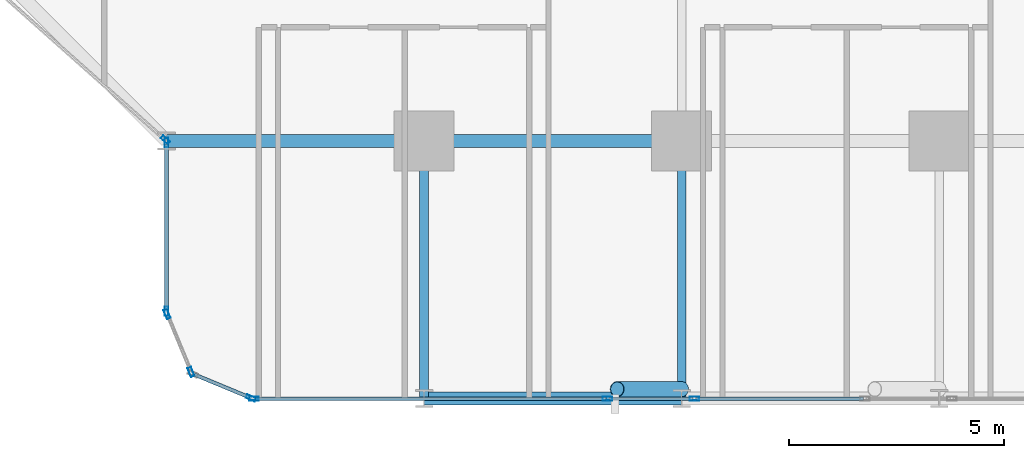
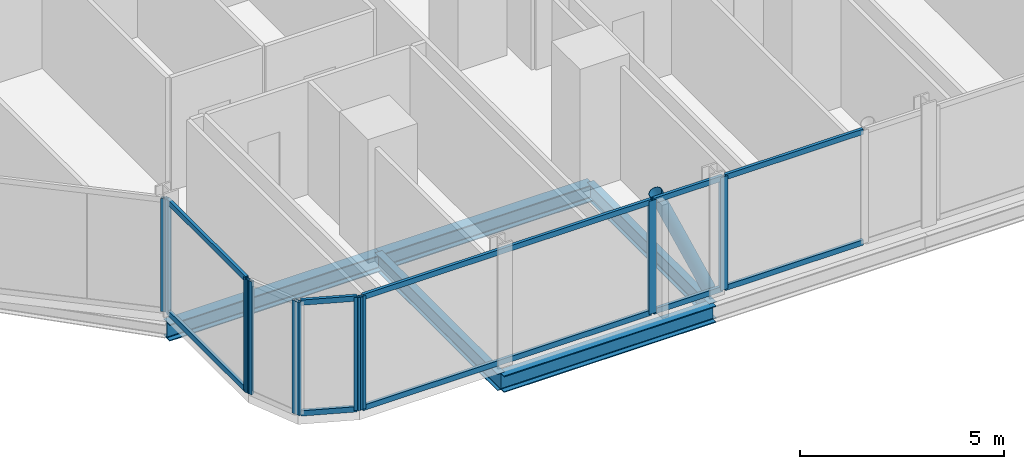
# One storey, part 3 of 35: 20 members, 5 beams, 7 elements without a shape of their own.
"""IFC4 building model written with IfcOpenShell, lengths in metres."""

from ifc_helpers import new_model, si_unit, direction, frame, origin, origin_2d, place, context, subcontext, project, spatial, hollow_rectangle, hollow_circle, i_section, extrude, material, layer, layer_set, material_profile, profile_set, type_object, element, aggregate, save


model = new_model("IFC4")

# Units and contexts
model_context = context("Model", 3, precision=1e-05, world=origin(), true_north=direction((0.0, 1.0)))
body_context = subcontext(model_context, "Body", "Model", "MODEL_VIEW")
ifc_project = project(units=[si_unit("LENGTHUNIT", "METRE"), si_unit("AREAUNIT", "SQUARE_METRE"), si_unit("VOLUMEUNIT", "CUBIC_METRE"), si_unit("PLANEANGLEUNIT", "RADIAN"), si_unit("MASSUNIT", "GRAM", prefix="KILO")], contexts=[model_context])

# Site, building, storey
site_placement = place(None, origin())
site = spatial("IfcSite", under=ifc_project, at=site_placement, CompositionType="ELEMENT")
building_placement = place(site_placement, origin())
building = spatial("IfcBuilding", under=site, at=building_placement, Name="Keshet Zoharim Tower", CompositionType="ELEMENT")
storey_placement = place(building_placement, frame((0.0, 0.0, 24.0)))
storey = spatial("IfcBuildingStorey", under=building, at=storey_placement, Name="L04", CompositionType="ELEMENT", Elevation=24.0)

# Beams
ifc_material_1 = material(Name="Steel S355", Category="steel")
ifc_material_profile_1 = material_profile(ifc_material_1, i_section(OverallWidth=0.199951171875, OverallDepth=0.5, WebThickness=0.01025390625, FlangeThickness=0.01611328125, FilletRadius=0.02099609375, at=origin_2d()), Name="IPE500")
ifc_profile_set_1 = profile_set([ifc_material_profile_1], Name="Steel S355")
beam_type_1 = type_object("IfcBeamType", Name="BM-PRI-IP500", PredefinedType="BEAM", material=ifc_profile_set_1)
for number, where, z_axis, x_axis, name in (
    (1, (27.0, 0.699951171875, -0.56494140625), (0.0, 1.0, 0.0), (-1.0, 0.0, 0.0), "L04 Primary Girder Y-004"),
    (2, (33.0, 0.699951171875, -0.56494140625), (0.0, 1.0, 0.0), (-1.0, 0.0, 0.0), "L04 Primary Girder Y-005"),
):
    element("IfcBeam", number, at=place(storey_placement, frame(where, z_axis=z_axis, x_axis=x_axis)), inside=storey, type_object=beam_type_1, Name=name, PredefinedType="BEAM", context=body_context, shape_type="SweptSolid", body=[
        extrude(i_section(OverallWidth=0.199951171875, OverallDepth=0.5, WebThickness=0.01025390625, FlangeThickness=0.01611328125, FilletRadius=0.02099609375, at=origin_2d()), origin(), (0.0, 0.0, 1.0), 6.0),
    ])
ifc_material_profile_2 = material_profile(ifc_material_1, i_section(OverallWidth=0.300048828125, OverallDepth=0.5, WebThickness=0.014404296875, FlangeThickness=0.028076171875, FilletRadius=0.027099609375, at=origin_2d()), Name="HEB500")
ifc_profile_set_2 = profile_set([ifc_material_profile_2], Name="Steel S355")
beam_type_2 = type_object("IfcBeamType", Name="BM-WEB-HB500", PredefinedType="BEAM", material=ifc_profile_set_2)
for number, where, z_axis, x_axis, name in (
    (3, (27.0, 0.699951171875, -0.56494140625), (1.0, 0.0, 0.0), (0.0, 1.0, 0.0), "L04 Primary Girder X-001"),
    (4, (21.0, 6.699951171875, -0.56494140625), (1.0, 0.0, 0.0), (0.0, 1.0, 0.0), "L04 Primary Girder X-006"),
    (5, (27.0, 6.699951171875, -0.56494140625), (1.0, 0.0, 0.0), (0.0, 1.0, 0.0), "L04 Primary Girder X-007"),
):
    element("IfcBeam", number, at=place(storey_placement, frame(where, z_axis=z_axis, x_axis=x_axis)), inside=storey, type_object=beam_type_2, Name=name, PredefinedType="BEAM", context=body_context, shape_type="SweptSolid", body=[
        extrude(i_section(OverallWidth=0.300048828125, OverallDepth=0.5, WebThickness=0.014404296875, FlangeThickness=0.028076171875, FilletRadius=0.027099609375, at=origin_2d()), origin(), (0.0, 0.0, 1.0), 6.0),
    ])

# Curtain wall, member
ifc_material_2 = material(Name="Aluminium 6063-T6", Category="aluminium")
ifc_layer = layer(ifc_material_2, 0.179931640625)
ifc_layer_set = layer_set([ifc_layer], Name="Aluminium 6063-T6")
curtain_wall_type = type_object("IfcCurtainWallType", Name="CW-SYS-01", PredefinedType="NOTDEFINED", material=ifc_layer_set)
curtain_wall_1_placement = place(storey_placement, origin())
curtain_wall_1 = element("IfcCurtainWall", 6, at=curtain_wall_1_placement, inside=storey, type_object=curtain_wall_type, Name="L04 Unitised Curtain Wall 01", PredefinedType="NOTDEFINED")
ifc_material_profile_3 = material_profile(ifc_material_2, hollow_rectangle(XDim=0.090087890625, YDim=0.219970703125, WallThickness=0.0048828125, at=origin_2d()), Name="MUL-90x220")
ifc_profile_set_3 = profile_set([ifc_material_profile_3], Name="Aluminium 6063-T6")
member_type_1 = type_object("IfcMemberType", Name="CWM-M22", PredefinedType="MULLION", material=ifc_profile_set_3)
member_1_placement = place(storey_placement, frame((20.973876953125, 6.72314453125, 0.0), z_axis=(0.0, 0.0, 1.0), x_axis=(-0.664363838836, -0.747409318679, 0.0)))
member_1 = element("IfcMember", 7, at=member_1_placement, type_object=member_type_1, Name="CW-01 mullion 1", PredefinedType="MULLION", context=body_context, shape_type="SweptSolid", body=[
    extrude(hollow_rectangle(XDim=0.090087890625, YDim=0.219970703125, WallThickness=0.0048828125, at=origin_2d()), origin(), (0.0, 0.0, 1.0), 3.385009765625),
])
aggregate(curtain_wall_1, [member_1])

curtain_wall_2_placement = place(storey_placement, origin())
curtain_wall_2 = element("IfcCurtainWall", 8, at=curtain_wall_2_placement, inside=storey, type_object=curtain_wall_type, Name="L04 Unitised Curtain Wall 26 Part 3", PredefinedType="NOTDEFINED")
member_2_placement = place(storey_placement, frame((33.297607421875, 0.699951171875, 0.0), z_axis=(0.0, 0.0, 1.0), x_axis=(0.0, -1.0, 0.0)))
member_2 = element("IfcMember", 9, at=member_2_placement, type_object=member_type_1, Name="CW-01 mullion 2", PredefinedType="MULLION", context=body_context, shape_type="SweptSolid", body=[
    extrude(hollow_rectangle(XDim=0.090087890625, YDim=0.219970703125, WallThickness=0.0048828125, at=origin_2d()), origin(), (0.0, 0.0, 1.0), 3.385009765625),
])

curtain_wall_3_placement = place(storey_placement, origin())
curtain_wall_3 = element("IfcCurtainWall", 10, at=curtain_wall_3_placement, inside=storey, type_object=curtain_wall_type, Name="L04 Unitised Curtain Wall 26 Part 4", PredefinedType="NOTDEFINED")
member_3_placement = place(storey_placement, frame((31.2724609375, 0.699951171875, 0.0), z_axis=(0.0, 0.0, 1.0), x_axis=(0.0, -1.0, 0.0)))
member_3 = element("IfcMember", 11, at=member_3_placement, type_object=member_type_1, Name="CW-01 mullion 2", PredefinedType="MULLION", context=body_context, shape_type="SweptSolid", body=[
    extrude(hollow_rectangle(XDim=0.090087890625, YDim=0.219970703125, WallThickness=0.0048828125, at=origin_2d()), origin(), (0.0, 0.0, 1.0), 3.385009765625),
])

curtain_wall_4_placement = place(storey_placement, origin())
curtain_wall_4 = element("IfcCurtainWall", 12, at=curtain_wall_4_placement, inside=storey, type_object=curtain_wall_type, Name="L04 Unitised Curtain Wall 26 Part 5", PredefinedType="NOTDEFINED")
member_4_placement = place(storey_placement, frame((23.034912109375, 0.699951171875, 0.0), z_axis=(0.0, 0.0, 1.0), x_axis=(0.0, -1.0, 0.0)))
member_4 = element("IfcMember", 13, at=member_4_placement, type_object=member_type_1, Name="CW-01 mullion 2", PredefinedType="MULLION", context=body_context, shape_type="SweptSolid", body=[
    extrude(hollow_rectangle(XDim=0.090087890625, YDim=0.219970703125, WallThickness=0.0048828125, at=origin_2d()), origin(), (0.0, 0.0, 1.0), 3.385009765625),
])

curtain_wall_5_placement = place(storey_placement, origin())
curtain_wall_5 = element("IfcCurtainWall", 14, at=curtain_wall_5_placement, inside=storey, type_object=curtain_wall_type, Name="L04 Unitised Curtain Wall 27", PredefinedType="NOTDEFINED")
member_5_placement = place(storey_placement, frame((22.9677734375, 0.71337890625, 0.0), z_axis=(0.0, 0.0, 1.0), x_axis=(-0.382851849847, -0.92380975372, 0.0)))
member_5 = element("IfcMember", 15, at=member_5_placement, type_object=member_type_1, Name="CW-01 mullion 1", PredefinedType="MULLION", context=body_context, shape_type="SweptSolid", body=[
    extrude(hollow_rectangle(XDim=0.090087890625, YDim=0.219970703125, WallThickness=0.0048828125, at=origin_2d()), origin(), (0.0, 0.0, 1.0), 3.385009765625),
])

# Curtain wall, members
curtain_wall_6_placement = place(storey_placement, origin())
curtain_wall_6 = element("IfcCurtainWall", 16, at=curtain_wall_6_placement, inside=storey, type_object=curtain_wall_type, Name="L04 Unitised Curtain Wall 28", PredefinedType="NOTDEFINED")
member_6_placement = place(storey_placement, frame((21.572509765625, 1.318359375, 0.0), z_axis=(0.0, 0.0, 1.0), x_axis=(-0.92380975372, -0.382851849847, 0.0)))
member_6 = element("IfcMember", 17, at=member_6_placement, type_object=member_type_1, Name="CW-01 mullion 1", PredefinedType="MULLION", context=body_context, shape_type="SweptSolid", body=[
    extrude(hollow_rectangle(XDim=0.090087890625, YDim=0.219970703125, WallThickness=0.0048828125, at=origin_2d()), origin(), (0.0, 0.0, 1.0), 3.385009765625),
])
member_7_placement = place(storey_placement, frame((21.013427734375, 2.667724609375, 0.0), z_axis=(0.0, 0.0, 1.0), x_axis=(-0.92380975372, -0.382851849847, 0.0)))
member_7 = element("IfcMember", 18, at=member_7_placement, type_object=member_type_1, Name="CW-01 mullion 2", PredefinedType="MULLION", context=body_context, shape_type="SweptSolid", body=[
    extrude(hollow_rectangle(XDim=0.090087890625, YDim=0.219970703125, WallThickness=0.0048828125, at=origin_2d()), origin(), (0.0, 0.0, 1.0), 3.385009765625),
])
aggregate(curtain_wall_6, [member_6, member_7])

curtain_wall_7_placement = place(storey_placement, origin())
curtain_wall_7 = element("IfcCurtainWall", 19, at=curtain_wall_7_placement, inside=storey, type_object=curtain_wall_type, Name="L04 Unitised Curtain Wall 29", PredefinedType="NOTDEFINED")
member_8_placement = place(storey_placement, frame((21.0, 2.735107421875, 0.0), z_axis=(0.0, 0.0, 1.0), x_axis=(-1.0, 0.0, 0.0)))
member_8 = element("IfcMember", 20, at=member_8_placement, type_object=member_type_1, Name="CW-01 mullion 1", PredefinedType="MULLION", context=body_context, shape_type="SweptSolid", body=[
    extrude(hollow_rectangle(XDim=0.090087890625, YDim=0.219970703125, WallThickness=0.0048828125, at=origin_2d()), origin(), (0.0, 0.0, 1.0), 3.385009765625),
])
member_9_placement = place(storey_placement, frame((21.0, 6.6650390625, 0.0), z_axis=(0.0, 0.0, 1.0), x_axis=(-1.0, 0.0, 0.0)))
member_9 = element("IfcMember", 21, at=member_9_placement, type_object=member_type_1, Name="CW-01 mullion 2", PredefinedType="MULLION", context=body_context, shape_type="SweptSolid", body=[
    extrude(hollow_rectangle(XDim=0.090087890625, YDim=0.219970703125, WallThickness=0.0048828125, at=origin_2d()), origin(), (0.0, 0.0, 1.0), 3.385009765625),
])

# Member
ifc_material_profile_4 = material_profile(ifc_material_2, hollow_rectangle(XDim=0.0849609375, YDim=0.159912109375, WallThickness=0.00439453125, at=origin_2d()), Name="TRN-85x160")
ifc_profile_set_4 = profile_set([ifc_material_profile_4], Name="Aluminium 6063-T6")
member_type_2 = type_object("IfcMemberType", Name="CWT-T16", PredefinedType="USERDEFINED", material=ifc_profile_set_4)
member_10_placement = place(storey_placement, frame((37.2373046875, 0.699951171875, 0.034912109375), z_axis=(-1.0, 0.0, 0.0), x_axis=(0.0, -1.0, 0.0)))
member_10 = element("IfcMember", 22, at=member_10_placement, type_object=member_type_2, Name="CW-01 transom 1.1", ObjectType="TRANSOM", PredefinedType="USERDEFINED", context=body_context, shape_type="SweptSolid", body=[
    extrude(hollow_rectangle(XDim=0.0849609375, YDim=0.159912109375, WallThickness=0.00439453125, at=origin_2d()), origin(), (0.0, 0.0, 1.0), 3.90478515625),
])

member_11_placement = place(storey_placement, frame((37.2373046875, 0.699951171875, 3.35009765625), z_axis=(-1.0, 0.0, 0.0), x_axis=(0.0, -1.0, 0.0)))
member_11 = element("IfcMember", 23, at=member_11_placement, type_object=member_type_2, Name="CW-01 transom 1.2", ObjectType="TRANSOM", PredefinedType="USERDEFINED", context=body_context, shape_type="SweptSolid", body=[
    extrude(hollow_rectangle(XDim=0.0849609375, YDim=0.159912109375, WallThickness=0.00439453125, at=origin_2d()), origin(), (0.0, 0.0, 1.0), 3.90478515625),
])

aggregate(curtain_wall_2, [member_2, member_10, member_11])

member_12_placement = place(storey_placement, frame((33.2626953125, 0.699951171875, 0.034912109375), z_axis=(-1.0, 0.0, 0.0), x_axis=(0.0, -1.0, 0.0)))
member_12 = element("IfcMember", 24, at=member_12_placement, type_object=member_type_2, Name="CW-01 transom 1.1", ObjectType="TRANSOM", PredefinedType="USERDEFINED", context=body_context, shape_type="SweptSolid", body=[
    extrude(hollow_rectangle(XDim=0.0849609375, YDim=0.159912109375, WallThickness=0.00439453125, at=origin_2d()), origin(), (0.0, 0.0, 1.0), 1.955322265625),
])

member_13_placement = place(storey_placement, frame((33.2626953125, 0.699951171875, 3.35009765625), z_axis=(-1.0, 0.0, 0.0), x_axis=(0.0, -1.0, 0.0)))
member_13 = element("IfcMember", 25, at=member_13_placement, type_object=member_type_2, Name="CW-01 transom 1.2", ObjectType="TRANSOM", PredefinedType="USERDEFINED", context=body_context, shape_type="SweptSolid", body=[
    extrude(hollow_rectangle(XDim=0.0849609375, YDim=0.159912109375, WallThickness=0.00439453125, at=origin_2d()), origin(), (0.0, 0.0, 1.0), 1.955322265625),
])

aggregate(curtain_wall_3, [member_3, member_12, member_13])

member_14_placement = place(storey_placement, frame((31.2373046875, 0.699951171875, 0.034912109375), z_axis=(-1.0, 0.0, 0.0), x_axis=(0.0, -1.0, 0.0)))
member_14 = element("IfcMember", 26, at=member_14_placement, type_object=member_type_2, Name="CW-01 transom 1.1", ObjectType="TRANSOM", PredefinedType="USERDEFINED", context=body_context, shape_type="SweptSolid", body=[
    extrude(hollow_rectangle(XDim=0.0849609375, YDim=0.159912109375, WallThickness=0.00439453125, at=origin_2d()), origin(), (0.0, 0.0, 1.0), 8.167236328125),
])

member_15_placement = place(storey_placement, frame((31.2373046875, 0.699951171875, 3.35009765625), z_axis=(-1.0, 0.0, 0.0), x_axis=(0.0, -1.0, 0.0)))
member_15 = element("IfcMember", 27, at=member_15_placement, type_object=member_type_2, Name="CW-01 transom 1.2", ObjectType="TRANSOM", PredefinedType="USERDEFINED", context=body_context, shape_type="SweptSolid", body=[
    extrude(hollow_rectangle(XDim=0.0849609375, YDim=0.159912109375, WallThickness=0.00439453125, at=origin_2d()), origin(), (0.0, 0.0, 1.0), 8.167236328125),
])

aggregate(curtain_wall_4, [member_4, member_14, member_15])

member_16_placement = place(storey_placement, frame((22.935302734375, 0.726806640625, 0.034912109375), z_axis=(-0.92379209995, 0.382894445076, 0.0), x_axis=(-0.382894445076, -0.92379209995, 0.0)))
member_16 = element("IfcMember", 28, at=member_16_placement, type_object=member_type_2, Name="CW-01 transom 1.1", ObjectType="TRANSOM", PredefinedType="USERDEFINED", context=body_context, shape_type="SweptSolid", body=[
    extrude(hollow_rectangle(XDim=0.0849609375, YDim=0.159912109375, WallThickness=0.00439453125, at=origin_2d()), origin(), (0.0, 0.0, 1.0), 1.390625),
])

member_17_placement = place(storey_placement, frame((22.935302734375, 0.726806640625, 3.35009765625), z_axis=(-0.92379209995, 0.382894445076, 0.0), x_axis=(-0.382894445076, -0.92379209995, 0.0)))
member_17 = element("IfcMember", 29, at=member_17_placement, type_object=member_type_2, Name="CW-01 transom 1.2", ObjectType="TRANSOM", PredefinedType="USERDEFINED", context=body_context, shape_type="SweptSolid", body=[
    extrude(hollow_rectangle(XDim=0.0849609375, YDim=0.159912109375, WallThickness=0.00439453125, at=origin_2d()), origin(), (0.0, 0.0, 1.0), 1.390625),
])

aggregate(curtain_wall_5, [member_5, member_16, member_17])

member_18_placement = place(storey_placement, frame((21.0, 2.77001953125, 0.034912109375), z_axis=(0.0, 1.0, 0.0), x_axis=(-1.0, 0.0, 0.0)))
member_18 = element("IfcMember", 30, at=member_18_placement, type_object=member_type_2, Name="CW-01 transom 1.1", ObjectType="TRANSOM", PredefinedType="USERDEFINED", context=body_context, shape_type="SweptSolid", body=[
    extrude(hollow_rectangle(XDim=0.0849609375, YDim=0.159912109375, WallThickness=0.00439453125, at=origin_2d()), origin(), (0.0, 0.0, 1.0), 3.85986328125),
])

member_19_placement = place(storey_placement, frame((21.0, 2.77001953125, 3.35009765625), z_axis=(0.0, 1.0, 0.0), x_axis=(-1.0, 0.0, 0.0)))
member_19 = element("IfcMember", 31, at=member_19_placement, type_object=member_type_2, Name="CW-01 transom 1.2", ObjectType="TRANSOM", PredefinedType="USERDEFINED", context=body_context, shape_type="SweptSolid", body=[
    extrude(hollow_rectangle(XDim=0.0849609375, YDim=0.159912109375, WallThickness=0.00439453125, at=origin_2d()), origin(), (0.0, 0.0, 1.0), 3.85986328125),
])

aggregate(curtain_wall_7, [member_8, member_9, member_18, member_19])

ifc_material_profile_5 = material_profile(ifc_material_1, hollow_circle(Radius=0.177734375, WallThickness=0.012451171875, at=origin_2d()), Name="CHS355x12.5")
ifc_profile_set_5 = profile_set([ifc_material_profile_5], Name="Steel S355")
member_type_3 = type_object("IfcMemberType", Name="MB-BR-C355", PredefinedType="BRACE", material=ifc_profile_set_5)
member_20_placement = place(storey_placement, frame((33.0, 0.919921875, 0.0), z_axis=(-0.405134846829, 0.0, 0.91425694194), x_axis=(0.0, -1.0, 0.0)))
element("IfcMember", 32, at=member_20_placement, inside=storey, type_object=member_type_3, Name="L04 Perimeter Tube Brace 02", PredefinedType="BRACE", context=body_context, shape_type="SweptSolid", body=[
    extrude(hollow_circle(Radius=0.177734375, WallThickness=0.012451171875, at=origin_2d()), origin(), (0.0, 0.0, 1.0), 3.702392578125),
])

save(model, "model.ifc")
